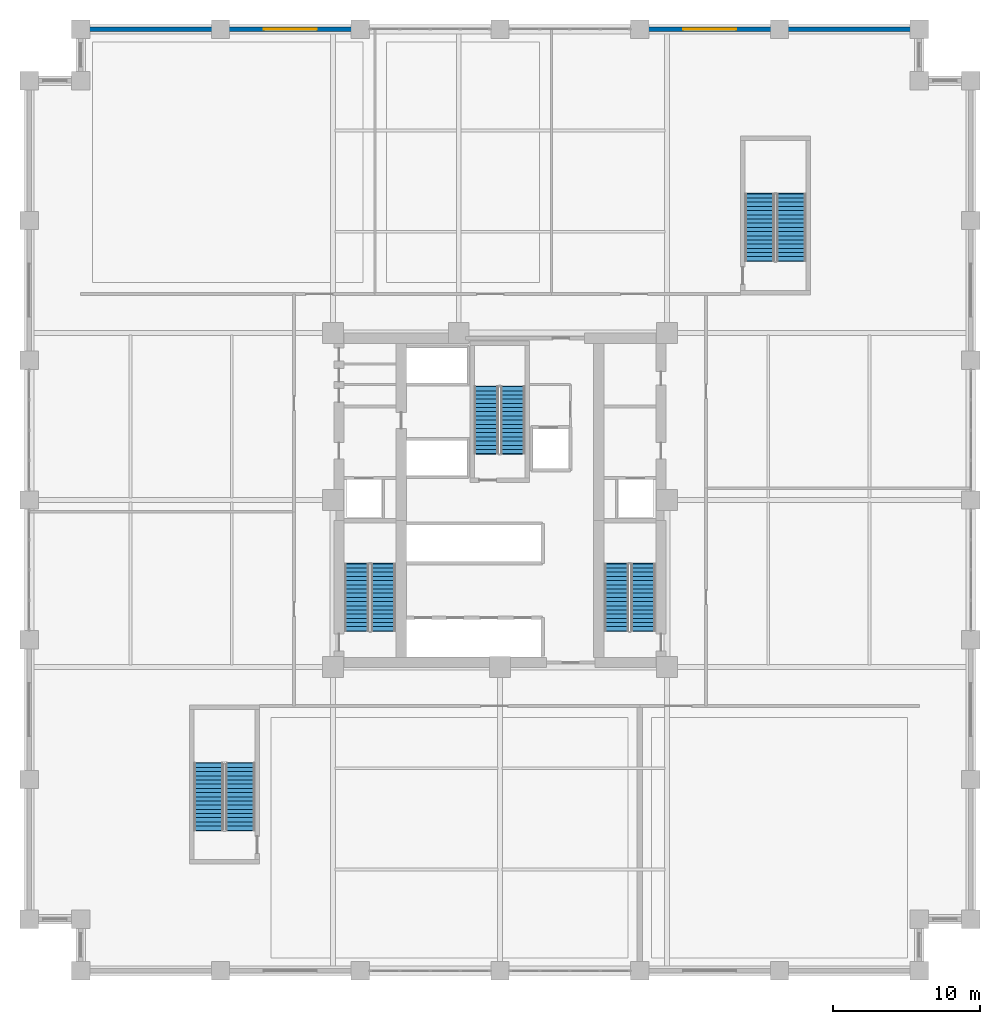
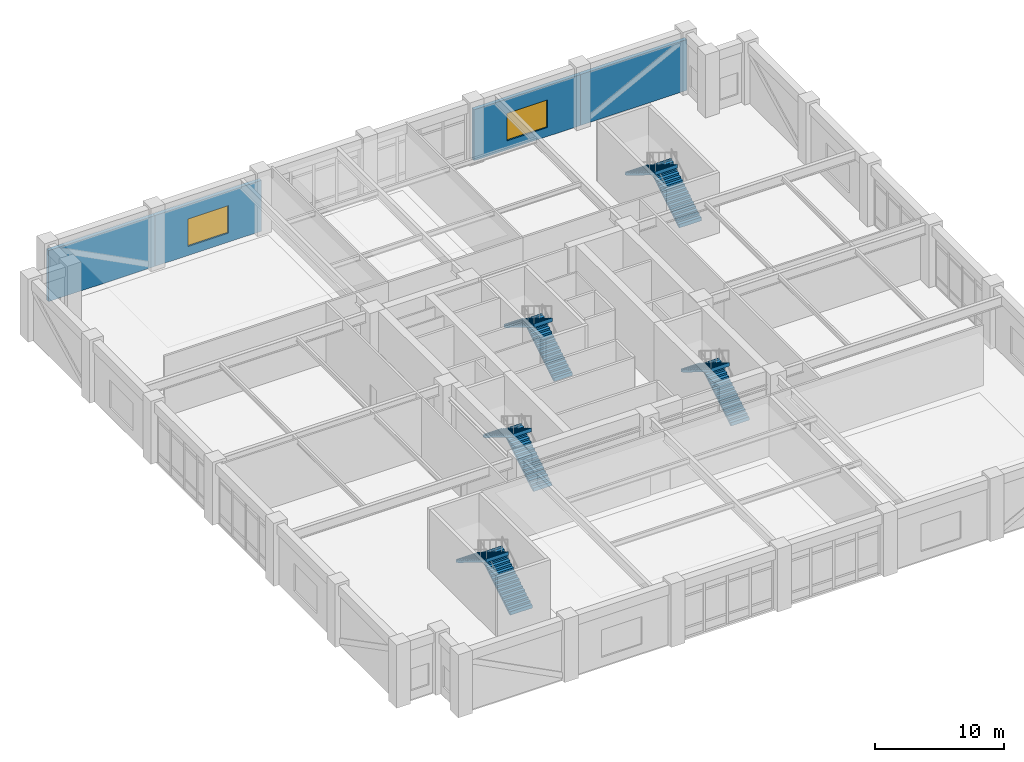
# One storey, part 15 of 21: 10 stair flights, 4 walls, 2 windows, 2 openings, 5 elements without a shape of their own.
"""IFC4 building model written with IfcOpenShell, lengths in metres."""

from ifc_helpers import new_model, si_unit, direction, frame, frame_2d, origin, place, context, subcontext, project, spatial, polyline, rectangle, outline, extrude, material, layer, layer_set, type_object, element, fill, aggregate, save


model = new_model("IFC4")

# Units and contexts
model_context = context("Model", 3, precision=1e-05, world=origin(), true_north=direction((0.0, 1.0)))
body_context = subcontext(model_context, "Body", "Model", "MODEL_VIEW")
ifc_project = project(units=[si_unit("LENGTHUNIT", "METRE"), si_unit("AREAUNIT", "SQUARE_METRE"), si_unit("VOLUMEUNIT", "CUBIC_METRE"), si_unit("PLANEANGLEUNIT", "RADIAN"), si_unit("MASSUNIT", "GRAM", prefix="KILO")], contexts=[model_context])

# Site, building, storey
site_placement = place(None, origin())
site = spatial("IfcSite", under=ifc_project, at=site_placement, CompositionType="ELEMENT")
building_placement = place(site_placement, origin())
building = spatial("IfcBuilding", under=site, at=building_placement, Name="Nhamokura Convention Tower", CompositionType="ELEMENT")
storey_placement = place(building_placement, frame((0.0, 0.0, 17.85009765625)))
storey = spatial("IfcBuildingStorey", under=building, at=storey_placement, Name="L03", CompositionType="ELEMENT", Elevation=17.85009765625)

# Wall
ifc_material_1 = material(Name="Bronze-pigmented precast concrete C45/55", Category="concrete")
ifc_layer = layer(ifc_material_1, 0.320068359375)
ifc_layer_set = layer_set([ifc_layer], Name="BronzePrecastSpandrel_320")
wall_type = type_object("IfcWallType", Name="BronzePrecastSpandrel_320", PredefinedType="USERDEFINED", material=ifc_layer_set)
wall_1_placement = place(storey_placement, frame((3.5, 64.0, 0.0), z_axis=(0.0, 0.0, 1.0), x_axis=(1.0, 0.0, 0.0)))
element("IfcWall", 1, at=wall_1_placement, inside=storey, type_object=wall_type, Name="L03 Braced-Bay Precast Wall NORTH 0", ObjectType="SPANDREL_WALL", PredefinedType="USERDEFINED", context=body_context, shape_type="SweptSolid", body=[
    extrude(rectangle(XDim=9.5, YDim=0.320068359375, at=frame_2d((4.75, 0.0))), origin(), (0.0, 0.0, 1.0), 4.809814453125),
])

# Wall, opening, window
wall_2_placement = place(storey_placement, frame((13.0, 64.0, 0.0), z_axis=(0.0, 0.0, 1.0), x_axis=(1.0, 0.0, 0.0)))
wall_2 = element("IfcWall", 2, at=wall_2_placement, inside=storey, type_object=wall_type, Name="L03 Masonry-Frame Wall NORTH 1", ObjectType="SPANDREL_WALL", PredefinedType="USERDEFINED", context=body_context, shape_type="SweptSolid", body=[
    extrude(rectangle(XDim=9.5, YDim=0.320068359375, at=frame_2d((4.75, 0.0))), origin(), (0.0, 0.0, 1.0), 4.809814453125),
])
opening_1_placement = place(wall_2_placement, frame((2.949951171875, 0.0, 0.85009765625)))
opening_1 = element("IfcOpeningElement", 3, at=opening_1_placement, cuts=wall_2, Name="Opening W-01", PredefinedType="OPENING", context=body_context, shape_type="SweptSolid", body=[
    extrude(rectangle(XDim=3.60009765625, YDim=2.60009765625, at=frame_2d((1.800048828125, 1.300048828125))), frame((0.0, 0.169921875, 0.0), z_axis=(0.0, -1.0, 0.0), x_axis=(1.0, 0.0, 0.0)), (0.0, 0.0, 1.0), 0.340087890625),
])
ifc_material_2 = material(Name="Solar-control bronze low-E double glass", Category="glass")
window_type = type_object("IfcWindowType", Name="PodiumClerestoryWindow_3600", PartitioningType="TRIPLE_PANEL_VERTICAL", PredefinedType="WINDOW", material=ifc_material_2)
window_1_placement = place(opening_1_placement, origin())
window_1 = element("IfcWindow", 4, at=window_1_placement, inside=storey, type_object=window_type, Name="L03 Facade Window NORTH 1", OverallHeight=2.60009765625, OverallWidth=3.60009765625, PartitioningType="SINGLE_PANEL", PredefinedType="WINDOW", context=body_context, shape_type="SweptSolid", body=[
    extrude(rectangle(XDim=3.60009765625, YDim=2.60009765625, at=frame_2d((1.800048828125, 1.300048828125))), frame((0.0, 0.030029296875, 0.0), z_axis=(0.0, -1.0, 0.0), x_axis=(1.0, 0.0, 0.0)), (0.0, 0.0, 1.0), 0.06005859375),
])
fill(opening_1, window_1)

wall_3_placement = place(storey_placement, frame((41.5, 64.0, 0.0), z_axis=(0.0, 0.0, 1.0), x_axis=(1.0, 0.0, 0.0)))
wall_3 = element("IfcWall", 5, at=wall_3_placement, inside=storey, type_object=wall_type, Name="L03 Masonry-Frame Wall NORTH 4", ObjectType="SPANDREL_WALL", PredefinedType="USERDEFINED", context=body_context, shape_type="SweptSolid", body=[
    extrude(rectangle(XDim=9.5, YDim=0.320068359375, at=frame_2d((4.75, 0.0))), origin(), (0.0, 0.0, 1.0), 4.809814453125),
])
opening_2_placement = place(wall_3_placement, frame((2.949951171875, 0.0, 0.85009765625)))
opening_2 = element("IfcOpeningElement", 6, at=opening_2_placement, cuts=wall_3, Name="Opening W-01", PredefinedType="OPENING", context=body_context, shape_type="SweptSolid", body=[
    extrude(rectangle(XDim=3.60009765625, YDim=2.60009765625, at=frame_2d((1.800048828125, 1.300048828125))), frame((0.0, 0.169921875, 0.0), z_axis=(0.0, -1.0, 0.0), x_axis=(1.0, 0.0, 0.0)), (0.0, 0.0, 1.0), 0.340087890625),
])
window_2_placement = place(opening_2_placement, origin())
window_2 = element("IfcWindow", 7, at=window_2_placement, inside=storey, type_object=window_type, Name="L03 Facade Window NORTH 4", OverallHeight=2.60009765625, OverallWidth=3.60009765625, PartitioningType="SINGLE_PANEL", PredefinedType="WINDOW", context=body_context, shape_type="SweptSolid", body=[
    extrude(rectangle(XDim=3.60009765625, YDim=2.60009765625, at=frame_2d((1.800048828125, 1.300048828125))), frame((0.0, 0.030029296875, 0.0), z_axis=(0.0, -1.0, 0.0), x_axis=(1.0, 0.0, 0.0)), (0.0, 0.0, 1.0), 0.06005859375),
])
fill(opening_2, window_2)

# Wall
wall_4_placement = place(storey_placement, frame((51.0, 64.0, 0.0), z_axis=(0.0, 0.0, 1.0), x_axis=(1.0, 0.0, 0.0)))
element("IfcWall", 8, at=wall_4_placement, inside=storey, type_object=wall_type, Name="L03 Braced-Bay Precast Wall NORTH 5", ObjectType="SPANDREL_WALL", PredefinedType="USERDEFINED", context=body_context, shape_type="SweptSolid", body=[
    extrude(rectangle(XDim=9.5, YDim=0.320068359375, at=frame_2d((4.75, 0.0))), origin(), (0.0, 0.0, 1.0), 4.809814453125),
])

# Stair, stair flights
ifc_material_3 = material(Name="Concrete C40/50", Category="concrete")
stair_type_1 = type_object("IfcStairType", Name="PodiumExitStair_2000", PredefinedType="HALF_TURN_STAIR", material=ifc_material_3)
stair_1_placement = place(storey_placement, origin())
stair_1 = element("IfcStair", 9, at=stair_1_placement, inside=storey, type_object=stair_type_1, Name="L03 South-West Podium Smokeproof Stair ST-04", PredefinedType="HALF_TURN_STAIR")
ifc_material_4 = material(Name="Concrete C40/50", Category="concrete")
stair_flight_type_1 = type_object("IfcStairFlightType", Name="PodiumExitStair_2000_Flight", PredefinedType="STRAIGHT", material=ifc_material_4)
stair_flight_1_placement = place(storey_placement, frame((14.35009765625, 9.550048828125, 0.0), z_axis=(0.0, 0.0, 1.0), x_axis=(0.0, 1.0, 0.0)))
stair_flight_1 = element("IfcStairFlight", 10, at=stair_flight_1_placement, type_object=stair_flight_type_1, Name="ST-04 flight 1", NumberOfRisers=17, NumberOfTreads=16, PredefinedType="STRAIGHT", RiserHeight=0.175, TreadLength=0.285, context=body_context, shape_type="SweptSolid", body=[
    extrude(outline(polyline([(-0.0419921875, 0.0), (0.0, 0.175048828125), (0.284912109375, 0.175048828125), (0.284912109375, 0.35009765625), (0.570068359375, 0.35009765625), (0.570068359375, 0.52490234375), (0.85498046875, 0.52490234375), (0.85498046875, 0.699951171875), (1.139892578125, 0.699951171875), (1.139892578125, 0.875), (1.425048828125, 0.875), (1.425048828125, 1.050048828125), (1.7099609375, 1.050048828125), (1.7099609375, 1.22509765625), (1.9951171875, 1.22509765625), (1.9951171875, 1.39990234375), (2.280029296875, 1.39990234375), (2.280029296875, 1.574951171875), (2.56494140625, 1.574951171875), (2.56494140625, 1.75), (2.85009765625, 1.75), (2.85009765625, 1.925048828125), (3.135009765625, 1.925048828125), (3.135009765625, 2.10009765625), (3.419921875, 2.10009765625), (3.419921875, 2.27490234375), (3.705078125, 2.27490234375), (3.705078125, 2.449951171875), (3.989990234375, 2.449951171875), (3.989990234375, 2.625), (4.27490234375, 2.625), (4.27490234375, 2.800048828125), (4.56005859375, 2.800048828125), (4.56005859375, 2.97509765625), (4.60205078125, 2.97509765625), (4.60205078125, 2.6240234375), (4.56005859375, 2.6240234375), (0.286376953125, 0.0), (0.02001953125, -0.1298828125), (-0.0419921875, -0.1298828125), (-0.0419921875, 0.0)])), frame((0.0, 1.0, 0.0), z_axis=(0.0, -1.0, 0.0), x_axis=(1.0, 0.0, 0.0)), (0.0, 0.0, 1.0), 2.0),
])
stair_flight_2_placement = place(storey_placement, frame((12.199951171875, 14.110107421875, 2.974853515625), z_axis=(0.0, 0.0, 1.0), x_axis=(0.0, -1.0, 0.0)))
stair_flight_2 = element("IfcStairFlight", 11, at=stair_flight_2_placement, type_object=stair_flight_type_1, Name="ST-04 flight 2", NumberOfRisers=17, NumberOfTreads=16, PredefinedType="STRAIGHT", RiserHeight=0.175, TreadLength=0.285, context=body_context, shape_type="SweptSolid", body=[
    extrude(outline(polyline([(-0.0419921875, 0.0), (0.0, 0.175048828125), (0.284912109375, 0.175048828125), (0.284912109375, 0.35009765625), (0.570068359375, 0.35009765625), (0.570068359375, 0.52490234375), (0.85498046875, 0.52490234375), (0.85498046875, 0.699951171875), (1.139892578125, 0.699951171875), (1.139892578125, 0.875), (1.425048828125, 0.875), (1.425048828125, 1.050048828125), (1.7099609375, 1.050048828125), (1.7099609375, 1.22509765625), (1.9951171875, 1.22509765625), (1.9951171875, 1.39990234375), (2.280029296875, 1.39990234375), (2.280029296875, 1.574951171875), (2.56494140625, 1.574951171875), (2.56494140625, 1.75), (2.85009765625, 1.75), (2.85009765625, 1.925048828125), (3.135009765625, 1.925048828125), (3.135009765625, 2.10009765625), (3.419921875, 2.10009765625), (3.419921875, 2.27490234375), (3.705078125, 2.27490234375), (3.705078125, 2.449951171875), (3.989990234375, 2.449951171875), (3.989990234375, 2.625), (4.27490234375, 2.625), (4.27490234375, 2.800048828125), (4.56005859375, 2.800048828125), (4.56005859375, 2.97509765625), (4.60205078125, 2.97509765625), (4.60205078125, 2.6240234375), (4.56005859375, 2.6240234375), (0.286376953125, 0.0), (0.02001953125, -0.1298828125), (-0.0419921875, -0.1298828125), (-0.0419921875, 0.0)])), frame((0.0, 1.0, 0.0), z_axis=(0.0, -1.0, 0.0), x_axis=(1.0, 0.0, 0.0)), (0.0, 0.0, 1.0), 2.0),
])
aggregate(stair_1, [stair_flight_1, stair_flight_2])

stair_2_placement = place(storey_placement, origin())
stair_2 = element("IfcStair", 12, at=stair_2_placement, inside=storey, type_object=stair_type_1, Name="L03 North-East Podium Smokeproof Stair ST-05", PredefinedType="HALF_TURN_STAIR")
stair_flight_3_placement = place(storey_placement, frame((51.800048828125, 48.25, 0.0), z_axis=(0.0, 0.0, 1.0), x_axis=(0.0, 1.0, 0.0)))
stair_flight_3 = element("IfcStairFlight", 13, at=stair_flight_3_placement, type_object=stair_flight_type_1, Name="ST-05 flight 1", NumberOfRisers=17, NumberOfTreads=16, PredefinedType="STRAIGHT", RiserHeight=0.175, TreadLength=0.285, context=body_context, shape_type="SweptSolid", body=[
    extrude(outline(polyline([(-0.0419921875, 0.0), (0.0, 0.175048828125), (0.284912109375, 0.175048828125), (0.284912109375, 0.35009765625), (0.570068359375, 0.35009765625), (0.570068359375, 0.52490234375), (0.85498046875, 0.52490234375), (0.85498046875, 0.699951171875), (1.139892578125, 0.699951171875), (1.139892578125, 0.875), (1.425048828125, 0.875), (1.425048828125, 1.050048828125), (1.7099609375, 1.050048828125), (1.7099609375, 1.22509765625), (1.9951171875, 1.22509765625), (1.9951171875, 1.39990234375), (2.280029296875, 1.39990234375), (2.280029296875, 1.574951171875), (2.56494140625, 1.574951171875), (2.56494140625, 1.75), (2.85009765625, 1.75), (2.85009765625, 1.925048828125), (3.135009765625, 1.925048828125), (3.135009765625, 2.10009765625), (3.419921875, 2.10009765625), (3.419921875, 2.27490234375), (3.705078125, 2.27490234375), (3.705078125, 2.449951171875), (3.989990234375, 2.449951171875), (3.989990234375, 2.625), (4.27490234375, 2.625), (4.27490234375, 2.800048828125), (4.56005859375, 2.800048828125), (4.56005859375, 2.97509765625), (4.60205078125, 2.97509765625), (4.60205078125, 2.6240234375), (4.56005859375, 2.6240234375), (0.286376953125, 0.0), (0.02001953125, -0.1298828125), (-0.0419921875, -0.1298828125), (-0.0419921875, 0.0)])), frame((0.0, 1.0, 0.0), z_axis=(0.0, -1.0, 0.0), x_axis=(1.0, 0.0, 0.0)), (0.0, 0.0, 1.0), 2.0),
])
stair_flight_4_placement = place(storey_placement, frame((49.64990234375, 52.81005859375, 2.974853515625), z_axis=(0.0, 0.0, 1.0), x_axis=(0.0, -1.0, 0.0)))
stair_flight_4 = element("IfcStairFlight", 14, at=stair_flight_4_placement, type_object=stair_flight_type_1, Name="ST-05 flight 2", NumberOfRisers=17, NumberOfTreads=16, PredefinedType="STRAIGHT", RiserHeight=0.175, TreadLength=0.285, context=body_context, shape_type="SweptSolid", body=[
    extrude(outline(polyline([(-0.0419921875, 0.0), (0.0, 0.175048828125), (0.284912109375, 0.175048828125), (0.284912109375, 0.35009765625), (0.570068359375, 0.35009765625), (0.570068359375, 0.52490234375), (0.85498046875, 0.52490234375), (0.85498046875, 0.699951171875), (1.139892578125, 0.699951171875), (1.139892578125, 0.875), (1.425048828125, 0.875), (1.425048828125, 1.050048828125), (1.7099609375, 1.050048828125), (1.7099609375, 1.22509765625), (1.9951171875, 1.22509765625), (1.9951171875, 1.39990234375), (2.280029296875, 1.39990234375), (2.280029296875, 1.574951171875), (2.56494140625, 1.574951171875), (2.56494140625, 1.75), (2.85009765625, 1.75), (2.85009765625, 1.925048828125), (3.135009765625, 1.925048828125), (3.135009765625, 2.10009765625), (3.419921875, 2.10009765625), (3.419921875, 2.27490234375), (3.705078125, 2.27490234375), (3.705078125, 2.449951171875), (3.989990234375, 2.449951171875), (3.989990234375, 2.625), (4.27490234375, 2.625), (4.27490234375, 2.800048828125), (4.56005859375, 2.800048828125), (4.56005859375, 2.97509765625), (4.60205078125, 2.97509765625), (4.60205078125, 2.6240234375), (4.56005859375, 2.6240234375), (0.286376953125, 0.0), (0.02001953125, -0.1298828125), (-0.0419921875, -0.1298828125), (-0.0419921875, 0.0)])), frame((0.0, 1.0, 0.0), z_axis=(0.0, -1.0, 0.0), x_axis=(1.0, 0.0, 0.0)), (0.0, 0.0, 1.0), 2.0),
])
aggregate(stair_2, [stair_flight_3, stair_flight_4])

ifc_material_5 = material(Name="Concrete C40/50", Category="concrete")
stair_type_2 = type_object("IfcStairType", Name="TowerCoreStair_1650", PredefinedType="HALF_TURN_STAIR", material=ifc_material_5)
stair_3_placement = place(storey_placement, origin())
stair_3 = element("IfcStair", 15, at=stair_3_placement, inside=storey, type_object=stair_type_2, Name="L03 West Core Smokeproof Stair ST-01", PredefinedType="HALF_TURN_STAIR")
ifc_material_6 = material(Name="Concrete C40/50", Category="concrete")
stair_flight_type_2 = type_object("IfcStairFlightType", Name="TowerCoreStair_1650_Flight", PredefinedType="STRAIGHT", material=ifc_material_6)
stair_flight_5_placement = place(storey_placement, frame((24.074951171875, 23.10009765625, 0.0), z_axis=(0.0, 0.0, 1.0), x_axis=(0.0, 1.0, 0.0)))
stair_flight_5 = element("IfcStairFlight", 16, at=stair_flight_5_placement, type_object=stair_flight_type_2, Name="ST-01 flight 1", NumberOfRisers=17, NumberOfTreads=16, PredefinedType="STRAIGHT", RiserHeight=0.175, TreadLength=0.285, context=body_context, shape_type="SweptSolid", body=[
    extrude(outline(polyline([(-0.0419921875, 0.0), (0.0, 0.175048828125), (0.284912109375, 0.175048828125), (0.284912109375, 0.35009765625), (0.570068359375, 0.35009765625), (0.570068359375, 0.52490234375), (0.85498046875, 0.52490234375), (0.85498046875, 0.699951171875), (1.139892578125, 0.699951171875), (1.139892578125, 0.875), (1.425048828125, 0.875), (1.425048828125, 1.050048828125), (1.7099609375, 1.050048828125), (1.7099609375, 1.22509765625), (1.9951171875, 1.22509765625), (1.9951171875, 1.39990234375), (2.280029296875, 1.39990234375), (2.280029296875, 1.574951171875), (2.56494140625, 1.574951171875), (2.56494140625, 1.75), (2.85009765625, 1.75), (2.85009765625, 1.925048828125), (3.135009765625, 1.925048828125), (3.135009765625, 2.10009765625), (3.419921875, 2.10009765625), (3.419921875, 2.27490234375), (3.705078125, 2.27490234375), (3.705078125, 2.449951171875), (3.989990234375, 2.449951171875), (3.989990234375, 2.625), (4.27490234375, 2.625), (4.27490234375, 2.800048828125), (4.56005859375, 2.800048828125), (4.56005859375, 2.97509765625), (4.60205078125, 2.97509765625), (4.60205078125, 2.6240234375), (4.56005859375, 2.6240234375), (0.286376953125, 0.0), (0.02001953125, -0.1298828125), (-0.0419921875, -0.1298828125), (-0.0419921875, 0.0)])), frame((0.0, 0.824951171875, 0.0), z_axis=(0.0, -1.0, 0.0), x_axis=(1.0, 0.0, 0.0)), (0.0, 0.0, 1.0), 1.64990234375),
])
stair_flight_6_placement = place(storey_placement, frame((22.27490234375, 27.659912109375, 2.974853515625), z_axis=(0.0, 0.0, 1.0), x_axis=(0.0, -1.0, 0.0)))
stair_flight_6 = element("IfcStairFlight", 17, at=stair_flight_6_placement, type_object=stair_flight_type_2, Name="ST-01 flight 2", NumberOfRisers=17, NumberOfTreads=16, PredefinedType="STRAIGHT", RiserHeight=0.175, TreadLength=0.285, context=body_context, shape_type="SweptSolid", body=[
    extrude(outline(polyline([(-0.0419921875, 0.0), (0.0, 0.175048828125), (0.284912109375, 0.175048828125), (0.284912109375, 0.35009765625), (0.570068359375, 0.35009765625), (0.570068359375, 0.52490234375), (0.85498046875, 0.52490234375), (0.85498046875, 0.699951171875), (1.139892578125, 0.699951171875), (1.139892578125, 0.875), (1.425048828125, 0.875), (1.425048828125, 1.050048828125), (1.7099609375, 1.050048828125), (1.7099609375, 1.22509765625), (1.9951171875, 1.22509765625), (1.9951171875, 1.39990234375), (2.280029296875, 1.39990234375), (2.280029296875, 1.574951171875), (2.56494140625, 1.574951171875), (2.56494140625, 1.75), (2.85009765625, 1.75), (2.85009765625, 1.925048828125), (3.135009765625, 1.925048828125), (3.135009765625, 2.10009765625), (3.419921875, 2.10009765625), (3.419921875, 2.27490234375), (3.705078125, 2.27490234375), (3.705078125, 2.449951171875), (3.989990234375, 2.449951171875), (3.989990234375, 2.625), (4.27490234375, 2.625), (4.27490234375, 2.800048828125), (4.56005859375, 2.800048828125), (4.56005859375, 2.97509765625), (4.60205078125, 2.97509765625), (4.60205078125, 2.6240234375), (4.56005859375, 2.6240234375), (0.286376953125, 0.0), (0.02001953125, -0.1298828125), (-0.0419921875, -0.1298828125), (-0.0419921875, 0.0)])), frame((0.0, 0.824951171875, 0.0), z_axis=(0.0, -1.0, 0.0), x_axis=(1.0, 0.0, 0.0)), (0.0, 0.0, 1.0), 1.64990234375),
])
aggregate(stair_3, [stair_flight_5, stair_flight_6])

stair_4_placement = place(storey_placement, origin())
stair_4 = element("IfcStair", 18, at=stair_4_placement, inside=storey, type_object=stair_type_2, Name="L03 East Core Smokeproof Stair ST-02", PredefinedType="HALF_TURN_STAIR")
stair_flight_7_placement = place(storey_placement, frame((41.72509765625, 23.10009765625, 0.0), z_axis=(0.0, 0.0, 1.0), x_axis=(0.0, 1.0, 0.0)))
stair_flight_7 = element("IfcStairFlight", 19, at=stair_flight_7_placement, type_object=stair_flight_type_2, Name="ST-02 flight 1", NumberOfRisers=17, NumberOfTreads=16, PredefinedType="STRAIGHT", RiserHeight=0.175, TreadLength=0.285, context=body_context, shape_type="SweptSolid", body=[
    extrude(outline(polyline([(-0.0419921875, 0.0), (0.0, 0.175048828125), (0.284912109375, 0.175048828125), (0.284912109375, 0.35009765625), (0.570068359375, 0.35009765625), (0.570068359375, 0.52490234375), (0.85498046875, 0.52490234375), (0.85498046875, 0.699951171875), (1.139892578125, 0.699951171875), (1.139892578125, 0.875), (1.425048828125, 0.875), (1.425048828125, 1.050048828125), (1.7099609375, 1.050048828125), (1.7099609375, 1.22509765625), (1.9951171875, 1.22509765625), (1.9951171875, 1.39990234375), (2.280029296875, 1.39990234375), (2.280029296875, 1.574951171875), (2.56494140625, 1.574951171875), (2.56494140625, 1.75), (2.85009765625, 1.75), (2.85009765625, 1.925048828125), (3.135009765625, 1.925048828125), (3.135009765625, 2.10009765625), (3.419921875, 2.10009765625), (3.419921875, 2.27490234375), (3.705078125, 2.27490234375), (3.705078125, 2.449951171875), (3.989990234375, 2.449951171875), (3.989990234375, 2.625), (4.27490234375, 2.625), (4.27490234375, 2.800048828125), (4.56005859375, 2.800048828125), (4.56005859375, 2.97509765625), (4.60205078125, 2.97509765625), (4.60205078125, 2.6240234375), (4.56005859375, 2.6240234375), (0.286376953125, 0.0), (0.02001953125, -0.1298828125), (-0.0419921875, -0.1298828125), (-0.0419921875, 0.0)])), frame((0.0, 0.824951171875, 0.0), z_axis=(0.0, -1.0, 0.0), x_axis=(1.0, 0.0, 0.0)), (0.0, 0.0, 1.0), 1.64990234375),
])
stair_flight_8_placement = place(storey_placement, frame((39.925048828125, 27.659912109375, 2.974853515625), z_axis=(0.0, 0.0, 1.0), x_axis=(0.0, -1.0, 0.0)))
stair_flight_8 = element("IfcStairFlight", 20, at=stair_flight_8_placement, type_object=stair_flight_type_2, Name="ST-02 flight 2", NumberOfRisers=17, NumberOfTreads=16, PredefinedType="STRAIGHT", RiserHeight=0.175, TreadLength=0.285, context=body_context, shape_type="SweptSolid", body=[
    extrude(outline(polyline([(-0.0419921875, 0.0), (0.0, 0.175048828125), (0.284912109375, 0.175048828125), (0.284912109375, 0.35009765625), (0.570068359375, 0.35009765625), (0.570068359375, 0.52490234375), (0.85498046875, 0.52490234375), (0.85498046875, 0.699951171875), (1.139892578125, 0.699951171875), (1.139892578125, 0.875), (1.425048828125, 0.875), (1.425048828125, 1.050048828125), (1.7099609375, 1.050048828125), (1.7099609375, 1.22509765625), (1.9951171875, 1.22509765625), (1.9951171875, 1.39990234375), (2.280029296875, 1.39990234375), (2.280029296875, 1.574951171875), (2.56494140625, 1.574951171875), (2.56494140625, 1.75), (2.85009765625, 1.75), (2.85009765625, 1.925048828125), (3.135009765625, 1.925048828125), (3.135009765625, 2.10009765625), (3.419921875, 2.10009765625), (3.419921875, 2.27490234375), (3.705078125, 2.27490234375), (3.705078125, 2.449951171875), (3.989990234375, 2.449951171875), (3.989990234375, 2.625), (4.27490234375, 2.625), (4.27490234375, 2.800048828125), (4.56005859375, 2.800048828125), (4.56005859375, 2.97509765625), (4.60205078125, 2.97509765625), (4.60205078125, 2.6240234375), (4.56005859375, 2.6240234375), (0.286376953125, 0.0), (0.02001953125, -0.1298828125), (-0.0419921875, -0.1298828125), (-0.0419921875, 0.0)])), frame((0.0, 0.824951171875, 0.0), z_axis=(0.0, -1.0, 0.0), x_axis=(1.0, 0.0, 0.0)), (0.0, 0.0, 1.0), 1.64990234375),
])
aggregate(stair_4, [stair_flight_7, stair_flight_8])

stair_5_placement = place(storey_placement, origin())
stair_5 = element("IfcStair", 21, at=stair_5_placement, inside=storey, type_object=stair_type_2, Name="L03 North Core Smokeproof Stair ST-03", PredefinedType="HALF_TURN_STAIR")
stair_flight_9_placement = place(storey_placement, frame((32.875, 35.14990234375, 0.0), z_axis=(0.0, 0.0, 1.0), x_axis=(0.0, 1.0, 0.0)))
stair_flight_9 = element("IfcStairFlight", 22, at=stair_flight_9_placement, type_object=stair_flight_type_2, Name="ST-03 flight 1", NumberOfRisers=17, NumberOfTreads=16, PredefinedType="STRAIGHT", RiserHeight=0.175, TreadLength=0.285, context=body_context, shape_type="SweptSolid", body=[
    extrude(outline(polyline([(-0.0419921875, 0.0), (0.0, 0.175048828125), (0.284912109375, 0.175048828125), (0.284912109375, 0.35009765625), (0.570068359375, 0.35009765625), (0.570068359375, 0.52490234375), (0.85498046875, 0.52490234375), (0.85498046875, 0.699951171875), (1.139892578125, 0.699951171875), (1.139892578125, 0.875), (1.425048828125, 0.875), (1.425048828125, 1.050048828125), (1.7099609375, 1.050048828125), (1.7099609375, 1.22509765625), (1.9951171875, 1.22509765625), (1.9951171875, 1.39990234375), (2.280029296875, 1.39990234375), (2.280029296875, 1.574951171875), (2.56494140625, 1.574951171875), (2.56494140625, 1.75), (2.85009765625, 1.75), (2.85009765625, 1.925048828125), (3.135009765625, 1.925048828125), (3.135009765625, 2.10009765625), (3.419921875, 2.10009765625), (3.419921875, 2.27490234375), (3.705078125, 2.27490234375), (3.705078125, 2.449951171875), (3.989990234375, 2.449951171875), (3.989990234375, 2.625), (4.27490234375, 2.625), (4.27490234375, 2.800048828125), (4.56005859375, 2.800048828125), (4.56005859375, 2.97509765625), (4.60205078125, 2.97509765625), (4.60205078125, 2.6240234375), (4.56005859375, 2.6240234375), (0.286376953125, 0.0), (0.02001953125, -0.1298828125), (-0.0419921875, -0.1298828125), (-0.0419921875, 0.0)])), frame((0.0, 0.824951171875, 0.0), z_axis=(0.0, -1.0, 0.0), x_axis=(1.0, 0.0, 0.0)), (0.0, 0.0, 1.0), 1.64990234375),
])
stair_flight_10_placement = place(storey_placement, frame((31.074951171875, 39.7099609375, 2.974853515625), z_axis=(0.0, 0.0, 1.0), x_axis=(0.0, -1.0, 0.0)))
stair_flight_10 = element("IfcStairFlight", 23, at=stair_flight_10_placement, type_object=stair_flight_type_2, Name="ST-03 flight 2", NumberOfRisers=17, NumberOfTreads=16, PredefinedType="STRAIGHT", RiserHeight=0.175, TreadLength=0.285, context=body_context, shape_type="SweptSolid", body=[
    extrude(outline(polyline([(-0.0419921875, 0.0), (0.0, 0.175048828125), (0.284912109375, 0.175048828125), (0.284912109375, 0.35009765625), (0.570068359375, 0.35009765625), (0.570068359375, 0.52490234375), (0.85498046875, 0.52490234375), (0.85498046875, 0.699951171875), (1.139892578125, 0.699951171875), (1.139892578125, 0.875), (1.425048828125, 0.875), (1.425048828125, 1.050048828125), (1.7099609375, 1.050048828125), (1.7099609375, 1.22509765625), (1.9951171875, 1.22509765625), (1.9951171875, 1.39990234375), (2.280029296875, 1.39990234375), (2.280029296875, 1.574951171875), (2.56494140625, 1.574951171875), (2.56494140625, 1.75), (2.85009765625, 1.75), (2.85009765625, 1.925048828125), (3.135009765625, 1.925048828125), (3.135009765625, 2.10009765625), (3.419921875, 2.10009765625), (3.419921875, 2.27490234375), (3.705078125, 2.27490234375), (3.705078125, 2.449951171875), (3.989990234375, 2.449951171875), (3.989990234375, 2.625), (4.27490234375, 2.625), (4.27490234375, 2.800048828125), (4.56005859375, 2.800048828125), (4.56005859375, 2.97509765625), (4.60205078125, 2.97509765625), (4.60205078125, 2.6240234375), (4.56005859375, 2.6240234375), (0.286376953125, 0.0), (0.02001953125, -0.1298828125), (-0.0419921875, -0.1298828125), (-0.0419921875, 0.0)])), frame((0.0, 0.824951171875, 0.0), z_axis=(0.0, -1.0, 0.0), x_axis=(1.0, 0.0, 0.0)), (0.0, 0.0, 1.0), 1.64990234375),
])
aggregate(stair_5, [stair_flight_9, stair_flight_10])

save(model, "model.ifc")
